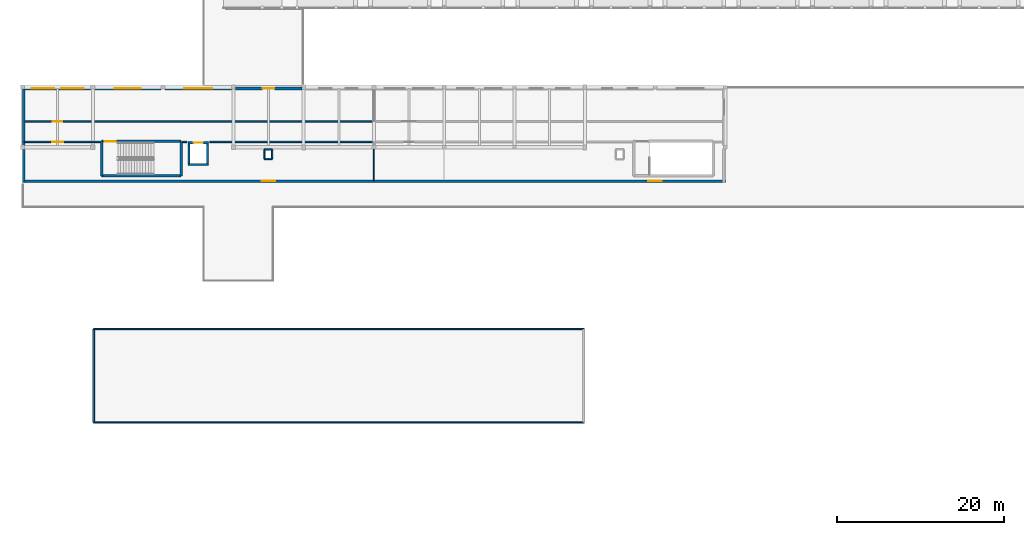
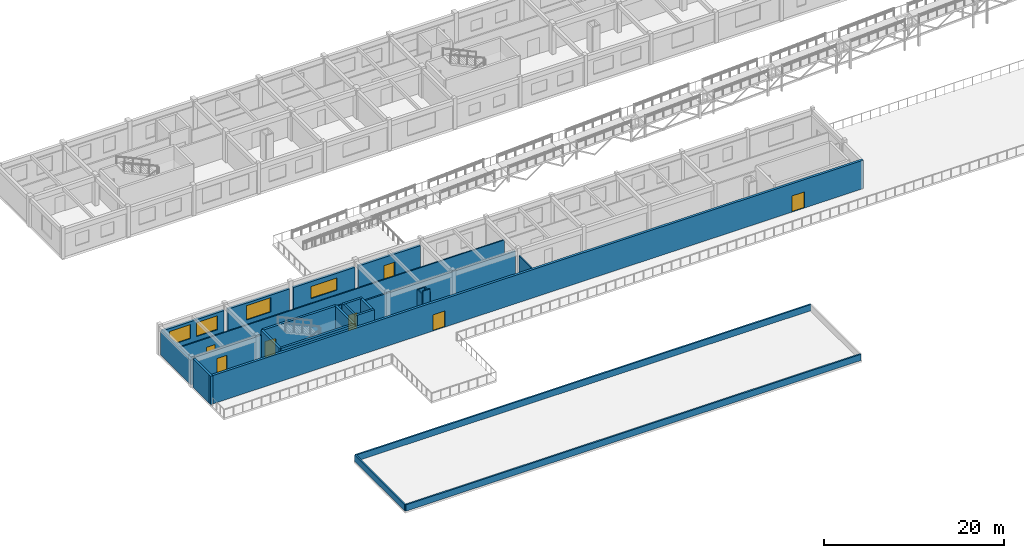
# One storey, part 27 of 41: 27 walls, 7 doors, 4 windows, 11 openings.
"""IFC4 building model written with IfcOpenShell, lengths in metres."""

from ifc_helpers import new_model, si_unit, direction, frame, frame_2d, origin, place, context, subcontext, project, spatial, rectangle, extrude, material, layer, layer_set, type_object, element, fill, save


model = new_model("IFC4")

# Units and contexts
model_context = context("Model", 3, precision=1e-05, world=origin(), true_north=direction((0.0, 1.0)))
body_context = subcontext(model_context, "Body", "Model", "MODEL_VIEW")
ifc_project = project(units=[si_unit("LENGTHUNIT", "METRE"), si_unit("AREAUNIT", "SQUARE_METRE"), si_unit("VOLUMEUNIT", "CUBIC_METRE"), si_unit("PLANEANGLEUNIT", "RADIAN"), si_unit("MASSUNIT", "GRAM", prefix="KILO")], contexts=[model_context])

# Site, building, storey
site_placement = place(None, origin())
site = spatial("IfcSite", under=ifc_project, at=site_placement, CompositionType="ELEMENT")
building_placement = place(site_placement, origin())
building = spatial("IfcBuilding", under=site, at=building_placement, Name="Malvenik Polytechnic", CompositionType="ELEMENT")
storey_placement = place(building_placement, frame((0.0, 0.0, 17.699951171875)))
storey = spatial("IfcBuildingStorey", under=building, at=storey_placement, Name="L04", CompositionType="ELEMENT", Elevation=17.699951171875)

# Wall
ifc_material_1 = material(Name="Concrete C35/45", Category="concrete")
ifc_layer_1 = layer(ifc_material_1, 0.280029296875)
ifc_layer_set_1 = layer_set([ifc_layer_1], Name="Concrete C35/45")
wall_type_1 = type_object("IfcWallType", Name="ARC-CW-S280", PredefinedType="SHEAR", material=ifc_layer_set_1)
wall_1_placement = place(storey_placement, frame((22.239990234375, 84.35009765625, 0.0), z_axis=(0.0, 0.0, 1.0), x_axis=(-1.0, 0.0, 0.0)))
element("IfcWall", 1, at=wall_1_placement, inside=storey, type_object=wall_type_1, Name="Lift Shaft Shear Wall LP-01 L04 -Y", PredefinedType="SHEAR", context=body_context, shape_type="SweptSolid", body=[
    extrude(rectangle(XDim=2.47998046875, YDim=0.280029296875, at=frame_2d((1.239990234375, 0.0))), origin(), (0.0, 0.0, 1.0), 3.93994140625),
])

# Wall, opening, door
wall_2_placement = place(storey_placement, frame((19.760009765625, 86.949951171875, 0.0), z_axis=(0.0, 0.0, 1.0), x_axis=(1.0, 0.0, 0.0)))
wall_2 = element("IfcWall", 2, at=wall_2_placement, inside=storey, type_object=wall_type_1, Name="Lift Shaft Shear Wall LP-01 L04 +Y", PredefinedType="SHEAR", context=body_context, shape_type="SweptSolid", body=[
    extrude(rectangle(XDim=2.47998046875, YDim=0.280029296875, at=frame_2d((1.239990234375, 0.0))), origin(), (0.0, 0.0, 1.0), 3.93994140625),
])
opening_1_placement = place(wall_2_placement, frame((0.68994140625, 0.0, 0.0)))
opening_1 = element("IfcOpeningElement", 3, at=opening_1_placement, cuts=wall_2, Name="Opening LD-01", PredefinedType="OPENING", context=body_context, shape_type="SweptSolid", body=[
    extrude(rectangle(XDim=1.10009765625, YDim=2.14990234375, at=frame_2d((0.550048828125, 1.074951171875))), frame((0.0, 0.14990234375, 0.0), z_axis=(0.0, -1.0, 0.0), x_axis=(1.0, 0.0, 0.0)), (0.0, 0.0, 1.0), 0.300048828125),
])
ifc_material_2 = material(Name="Stainless steel fire-rated sliding lift landing door", Category="steel")
door_type_1 = type_object("IfcDoorType", Name="ARC-LDR-LD-01", OperationType="NOTDEFINED", PredefinedType="DOOR", material=ifc_material_2)
door_1_placement = place(opening_1_placement, origin())
door_1 = element("IfcDoor", 4, at=door_1_placement, inside=storey, type_object=door_type_1, Name="Lift Sliding Landing Door LP-01 L04", OperationType="DOUBLE_DOOR_SLIDING", OverallHeight=2.14990234375, OverallWidth=1.10009765625, PredefinedType="DOOR", context=body_context, shape_type="SweptSolid", body=[
    extrude(rectangle(XDim=1.10009765625, YDim=2.14990234375, at=frame_2d((0.550048828125, 1.074951171875))), frame((0.0, 0.02490234375, 0.0), z_axis=(0.0, -1.0, 0.0), x_axis=(1.0, 0.0, 0.0)), (0.0, 0.0, 1.0), 0.050048828125),
])
fill(opening_1, door_1)

# Walls
for number, where, z_axis, x_axis, name in (
    (5, (19.89990234375, 84.2099609375, 0.0), (0.0, 0.0, 1.0), (0.0, 1.0, 0.0), "Lift Shaft Shear Wall LP-01 L04 -X"),
    (6, (22.10009765625, 87.090087890625, 0.0), (0.0, 0.0, 1.0), (0.0, -1.0, 0.0), "Lift Shaft Shear Wall LP-01 L04 +X"),
):
    element("IfcWall", number, at=place(storey_placement, frame(where, z_axis=z_axis, x_axis=x_axis)), inside=storey, type_object=wall_type_1, Name=name, PredefinedType="SHEAR", context=body_context, shape_type="SweptSolid", body=[
        extrude(rectangle(XDim=2.880126953125, YDim=0.280029296875, at=frame_2d((1.43994140625, 0.0))), origin(), (0.0, 0.0, 1.0), 3.93994140625),
    ])
ifc_layer_2 = layer(ifc_material_1, 0.300048828125)
ifc_layer_set_2 = layer_set([ifc_layer_2], Name="Concrete C35/45")
wall_type_2 = type_object("IfcWallType", Name="ARC-CW-S300", PredefinedType="SHEAR", material=ifc_layer_set_2)
wall_3_placement = place(storey_placement, frame((9.449951171875, 83.0, 0.0), z_axis=(0.0, 0.0, 1.0), x_axis=(0.0, 1.0, 0.0)))
element("IfcWall", 7, at=wall_3_placement, inside=storey, type_object=wall_type_2, Name="Stair Core Shear Wall ST-04 L04 NEAR", PredefinedType="SHEAR", context=body_context, shape_type="SweptSolid", body=[
    extrude(rectangle(XDim=4.10009765625, YDim=0.300048828125, at=frame_2d((2.050048828125, 0.0))), origin(), (0.0, 0.0, 1.0), 3.93994140625),
])

# Wall, opening, door
wall_4_placement = place(storey_placement, frame((9.449951171875, 87.10009765625, 0.0), z_axis=(0.0, 0.0, 1.0), x_axis=(1.0, 0.0, 0.0)))
wall_4 = element("IfcWall", 8, at=wall_4_placement, inside=storey, type_object=wall_type_2, Name="Stair Core Shear Wall ST-04 L04 RGHT", PredefinedType="SHEAR", context=body_context, shape_type="SweptSolid", body=[
    extrude(rectangle(XDim=9.5, YDim=0.300048828125, at=frame_2d((4.75, 0.0))), origin(), (0.0, 0.0, 1.0), 3.93994140625),
])
opening_2_placement = place(wall_4_placement, frame((0.35009765625, 0.0, 0.0)))
opening_2 = element("IfcOpeningElement", 9, at=opening_2_placement, cuts=wall_4, Name="Opening SD-01", PredefinedType="OPENING", context=body_context, shape_type="SweptSolid", body=[
    extrude(rectangle(XDim=1.35009765625, YDim=2.199951171875, at=frame_2d((0.675048828125, 1.10009765625))), frame((0.0, 0.16015625, 0.0), z_axis=(0.0, -1.0, 0.0), x_axis=(1.0, 0.0, 0.0)), (0.0, 0.0, 1.0), 0.320068359375),
])
ifc_material_3 = material(Name="Fire-rated steel stair enclosure door", Category="steel")
door_type_2 = type_object("IfcDoorType", Name="ARC-IDR-SD-01", OperationType="NOTDEFINED", PredefinedType="DOOR", material=ifc_material_3)
door_2_placement = place(opening_2_placement, origin())
door_2 = element("IfcDoor", 10, at=door_2_placement, inside=storey, type_object=door_type_2, Name="Fire Stair Door ST-04 L04", OperationType="SINGLE_SWING_LEFT", OverallHeight=2.199951171875, OverallWidth=1.35009765625, PredefinedType="DOOR", context=body_context, shape_type="SweptSolid", body=[
    extrude(rectangle(XDim=1.35009765625, YDim=2.199951171875, at=frame_2d((0.675048828125, 1.10009765625))), frame((0.0, 0.02490234375, 0.0), z_axis=(0.0, -1.0, 0.0), x_axis=(1.0, 0.0, 0.0)), (0.0, 0.0, 1.0), 0.050048828125),
])
fill(opening_2, door_2)

# Walls
wall_5_placement = place(storey_placement, frame((18.949951171875, 87.10009765625, 0.0), z_axis=(0.0, 0.0, 1.0), x_axis=(0.0, -1.0, 0.0)))
element("IfcWall", 11, at=wall_5_placement, inside=storey, type_object=wall_type_2, Name="Stair Core Shear Wall ST-04 L04 FAR", PredefinedType="SHEAR", context=body_context, shape_type="SweptSolid", body=[
    extrude(rectangle(XDim=4.10009765625, YDim=0.300048828125, at=frame_2d((2.050048828125, 0.0))), origin(), (0.0, 0.0, 1.0), 3.93994140625),
])
wall_6_placement = place(storey_placement, frame((18.949951171875, 83.0, 0.0), z_axis=(0.0, 0.0, 1.0), x_axis=(-1.0, 0.0, 0.0)))
element("IfcWall", 12, at=wall_6_placement, inside=storey, type_object=wall_type_2, Name="Stair Core Shear Wall ST-04 L04 LEFT", PredefinedType="SHEAR", context=body_context, shape_type="SweptSolid", body=[
    extrude(rectangle(XDim=9.5, YDim=0.300048828125, at=frame_2d((4.75, 0.0))), origin(), (0.0, 0.0, 1.0), 3.93994140625),
])
ifc_material_4 = material(Name="Brick masonry M15", Category="masonry")
ifc_layer_3 = layer(ifc_material_4, 0.31005859375)
ifc_layer_set_3 = layer_set([ifc_layer_3], Name="Brick masonry M15")
wall_type_3 = type_object("IfcWallType", Name="ARC-EW-310", PredefinedType="SOLIDWALL", material=ifc_layer_set_3)
wall_7_placement = place(storey_placement, frame((0.169921875, 82.199951171875, 0.0), z_axis=(0.0, 0.0, 1.0), x_axis=(0.0, 1.0, 0.0)))
element("IfcWall", 13, at=wall_7_placement, inside=storey, type_object=wall_type_3, Name="External Facade Wall EW-03 L04 #452", PredefinedType="SOLIDWALL", context=body_context, shape_type="SweptSolid", body=[
    extrude(rectangle(XDim=3.9521484375, YDim=0.31005859375, at=frame_2d((1.97607421875, 0.0))), origin(), (0.0, 0.0, 1.0), 3.860107421875),
])
wall_8_placement = place(storey_placement, frame((0.169921875, 86.64794921875, 0.0), z_axis=(0.0, 0.0, 1.0), x_axis=(0.0, 1.0, 0.0)))
element("IfcWall", 14, at=wall_8_placement, inside=storey, type_object=wall_type_3, Name="External Facade Wall EW-03 L04 #453", PredefinedType="SOLIDWALL", context=body_context, shape_type="SweptSolid", body=[
    extrude(rectangle(XDim=6.7041015625, YDim=0.31005859375, at=frame_2d((3.35205078125, 0.0))), origin(), (0.0, 0.0, 1.0), 3.360107421875),
])

# Wall, openings, windows
wall_9_placement = place(storey_placement, frame((0.248046875, 93.429931640625, 0.0), z_axis=(0.0, 0.0, 1.0), x_axis=(1.0, 0.0, 0.0)))
wall_9 = element("IfcWall", 15, at=wall_9_placement, inside=storey, type_object=wall_type_3, Name="External Facade Wall EW-03 L04 #454", PredefinedType="SOLIDWALL", context=body_context, shape_type="SweptSolid", body=[
    extrude(rectangle(XDim=7.904052734375, YDim=0.31005859375, at=frame_2d((3.9521484375, 0.0))), origin(), (0.0, 0.0, 1.0), 3.25),
])
opening_3_placement = place(wall_9_placement, frame((0.85009765625, 0.0, 0.949951171875)))
opening_3 = element("IfcOpeningElement", 16, at=opening_3_placement, cuts=wall_9, Name="Opening W-27", PredefinedType="OPENING", context=body_context, shape_type="SweptSolid", body=[
    extrude(rectangle(XDim=2.699951171875, YDim=1.89990234375, at=frame_2d((1.35009765625, 0.949951171875))), frame((0.0, 0.1650390625, 0.0), z_axis=(0.0, -1.0, 0.0), x_axis=(1.0, 0.0, 0.0)), (0.0, 0.0, 1.0), 0.330078125),
])
opening_4_placement = place(wall_9_placement, frame((4.35400390625, 0.0, 0.949951171875)))
opening_4 = element("IfcOpeningElement", 17, at=opening_4_placement, cuts=wall_9, Name="Opening W-27", PredefinedType="OPENING", context=body_context, shape_type="SweptSolid", body=[
    extrude(rectangle(XDim=2.699951171875, YDim=1.89990234375, at=frame_2d((1.35009765625, 0.949951171875))), frame((0.0, 0.1650390625, 0.0), z_axis=(0.0, -1.0, 0.0), x_axis=(1.0, 0.0, 0.0)), (0.0, 0.0, 1.0), 0.330078125),
])
ifc_material_5 = material(Name="Thermally broken aluminium frame with low-E double glazing", Category="aluminium")
window_type_1 = type_object("IfcWindowType", Name="ARC-WIN-W-27", PartitioningType="SINGLE_PANEL", PredefinedType="WINDOW", material=ifc_material_5)
window_1_placement = place(opening_3_placement, origin())
window_1 = element("IfcWindow", 18, at=window_1_placement, inside=storey, type_object=window_type_1, Name="Punched Window W-27 L04 #481", OverallHeight=1.89990234375, OverallWidth=2.699951171875, PartitioningType="SINGLE_PANEL", PredefinedType="WINDOW", context=body_context, shape_type="SweptSolid", body=[
    extrude(rectangle(XDim=2.699951171875, YDim=1.89990234375, at=frame_2d((1.35009765625, 0.949951171875))), frame((0.0, 0.030029296875, 0.0), z_axis=(0.0, -1.0, 0.0), x_axis=(1.0, 0.0, 0.0)), (0.0, 0.0, 1.0), 0.06005859375),
])
fill(opening_3, window_1)
window_2_placement = place(opening_4_placement, origin())
window_2 = element("IfcWindow", 19, at=window_2_placement, inside=storey, type_object=window_type_1, Name="Punched Window W-27 L04 #482", OverallHeight=1.89990234375, OverallWidth=2.699951171875, PartitioningType="SINGLE_PANEL", PredefinedType="WINDOW", context=body_context, shape_type="SweptSolid", body=[
    extrude(rectangle(XDim=2.699951171875, YDim=1.89990234375, at=frame_2d((1.35009765625, 0.949951171875))), frame((0.0, 0.030029296875, 0.0), z_axis=(0.0, -1.0, 0.0), x_axis=(1.0, 0.0, 0.0)), (0.0, 0.0, 1.0), 0.06005859375),
])
fill(opening_4, window_2)

# Wall, opening, window
wall_10_placement = place(storey_placement, frame((8.64794921875, 93.429931640625, 0.0), z_axis=(0.0, 0.0, 1.0), x_axis=(1.0, 0.0, 0.0)))
wall_10 = element("IfcWall", 20, at=wall_10_placement, inside=storey, type_object=wall_type_3, Name="External Facade Wall EW-03 L04 #455", PredefinedType="SOLIDWALL", context=body_context, shape_type="SweptSolid", body=[
    extrude(rectangle(XDim=7.904052734375, YDim=0.31005859375, at=frame_2d((3.9521484375, 0.0))), origin(), (0.0, 0.0, 1.0), 3.25),
])
opening_5_placement = place(wall_10_placement, frame((2.402099609375, 0.0, 0.949951171875)))
opening_5 = element("IfcOpeningElement", 21, at=opening_5_placement, cuts=wall_10, Name="Opening W-29", PredefinedType="OPENING", context=body_context, shape_type="SweptSolid", body=[
    extrude(rectangle(XDim=3.10009765625, YDim=1.949951171875, at=frame_2d((1.550048828125, 0.97509765625))), frame((0.0, 0.1650390625, 0.0), z_axis=(0.0, -1.0, 0.0), x_axis=(1.0, 0.0, 0.0)), (0.0, 0.0, 1.0), 0.330078125),
])
window_type_2 = type_object("IfcWindowType", Name="ARC-WIN-W-29", PartitioningType="SINGLE_PANEL", PredefinedType="WINDOW", material=ifc_material_5)
window_3_placement = place(opening_5_placement, origin())
window_3 = element("IfcWindow", 22, at=window_3_placement, inside=storey, type_object=window_type_2, Name="Punched Window W-29 L04 #483", OverallHeight=1.949951171875, OverallWidth=3.10009765625, PartitioningType="SINGLE_PANEL", PredefinedType="WINDOW", context=body_context, shape_type="SweptSolid", body=[
    extrude(rectangle(XDim=3.10009765625, YDim=1.949951171875, at=frame_2d((1.550048828125, 0.97509765625))), frame((0.0, 0.030029296875, 0.0), z_axis=(0.0, -1.0, 0.0), x_axis=(1.0, 0.0, 0.0)), (0.0, 0.0, 1.0), 0.06005859375),
])
fill(opening_5, window_3)

wall_11_placement = place(storey_placement, frame((17.048095703125, 93.429931640625, 0.0), z_axis=(0.0, 0.0, 1.0), x_axis=(1.0, 0.0, 0.0)))
wall_11 = element("IfcWall", 23, at=wall_11_placement, inside=storey, type_object=wall_type_3, Name="External Facade Wall EW-03 L04 #456", PredefinedType="SOLIDWALL", context=body_context, shape_type="SweptSolid", body=[
    extrude(rectangle(XDim=7.90380859375, YDim=0.31005859375, at=frame_2d((3.951904296875, 0.0))), origin(), (0.0, 0.0, 1.0), 3.25),
])
opening_6_placement = place(wall_11_placement, frame((2.302001953125, 0.0, 0.949951171875)))
opening_6 = element("IfcOpeningElement", 24, at=opening_6_placement, cuts=wall_11, Name="Opening W-30", PredefinedType="OPENING", context=body_context, shape_type="SweptSolid", body=[
    extrude(rectangle(XDim=3.300048828125, YDim=1.64990234375, at=frame_2d((1.64990234375, 0.824951171875))), frame((0.0, 0.1650390625, 0.0), z_axis=(0.0, -1.0, 0.0), x_axis=(1.0, 0.0, 0.0)), (0.0, 0.0, 1.0), 0.330078125),
])
window_type_3 = type_object("IfcWindowType", Name="ARC-WIN-W-30", PartitioningType="SINGLE_PANEL", PredefinedType="WINDOW", material=ifc_material_5)
window_4_placement = place(opening_6_placement, origin())
window_4 = element("IfcWindow", 25, at=window_4_placement, inside=storey, type_object=window_type_3, Name="Punched Window W-30 L04 #484", OverallHeight=1.64990234375, OverallWidth=3.300048828125, PartitioningType="SINGLE_PANEL", PredefinedType="WINDOW", context=body_context, shape_type="SweptSolid", body=[
    extrude(rectangle(XDim=3.300048828125, YDim=1.64990234375, at=frame_2d((1.64990234375, 0.824951171875))), frame((0.0, 0.030029296875, 0.0), z_axis=(0.0, -1.0, 0.0), x_axis=(1.0, 0.0, 0.0)), (0.0, 0.0, 1.0), 0.06005859375),
])
fill(opening_6, window_4)

# Wall, opening, door
wall_12_placement = place(storey_placement, frame((25.447998046875, 93.429931640625, 0.0), z_axis=(0.0, 0.0, 1.0), x_axis=(1.0, 0.0, 0.0)))
wall_12 = element("IfcWall", 26, at=wall_12_placement, inside=storey, type_object=wall_type_3, Name="External Facade Wall EW-03 L04 #457", PredefinedType="SOLIDWALL", context=body_context, shape_type="SweptSolid", body=[
    extrude(rectangle(XDim=7.9541015625, YDim=0.31005859375, at=frame_2d((3.97705078125, 0.0))), origin(), (0.0, 0.0, 1.0), 3.25),
])
opening_7_placement = place(wall_12_placement, frame((3.251953125, 0.0, 0.0)))
opening_7 = element("IfcOpeningElement", 27, at=opening_7_placement, cuts=wall_12, Name="Opening TD-03", PredefinedType="OPENING", context=body_context, shape_type="SweptSolid", body=[
    extrude(rectangle(XDim=1.39990234375, YDim=2.14990234375, at=frame_2d((0.699951171875, 1.074951171875))), frame((0.0, 0.1650390625, 0.0), z_axis=(0.0, -1.0, 0.0), x_axis=(1.0, 0.0, 0.0)), (0.0, 0.0, 1.0), 0.330078125),
])
ifc_material_6 = material(Name="Thermally broken glazed aluminium balcony door", Category="aluminium")
door_type_3 = type_object("IfcDoorType", Name="ARC-EDR-TD-03", OperationType="NOTDEFINED", PredefinedType="DOOR", material=ifc_material_6)
door_3_placement = place(opening_7_placement, origin())
door_3 = element("IfcDoor", 28, at=door_3_placement, inside=storey, type_object=door_type_3, Name="External Door TD-03 L04 #42", OperationType="SINGLE_SWING_LEFT", OverallHeight=2.14990234375, OverallWidth=1.39990234375, PredefinedType="DOOR", context=body_context, shape_type="SweptSolid", body=[
    extrude(rectangle(XDim=1.39990234375, YDim=2.14990234375, at=frame_2d((0.699951171875, 1.074951171875))), frame((0.0, 0.02490234375, 0.0), z_axis=(0.0, -1.0, 0.0), x_axis=(1.0, 0.0, 0.0)), (0.0, 0.0, 1.0), 0.050048828125),
])
fill(opening_7, door_3)

# Wall, openings, doors
wall_13_placement = place(storey_placement, frame((84.0, 82.3701171875, 0.0), z_axis=(0.0, 0.0, 1.0), x_axis=(-1.0, 0.0, 0.0)))
wall_13 = element("IfcWall", 29, at=wall_13_placement, inside=storey, type_object=wall_type_3, Name="External Facade Wall EW-03 L04 #466", PredefinedType="SOLIDWALL", context=body_context, shape_type="SweptSolid", body=[
    extrude(rectangle(XDim=84.0, YDim=0.31005859375, at=frame_2d((42.0, 0.0))), origin(), (0.0, 0.0, 1.0), 3.860107421875),
])
opening_8_placement = place(wall_13_placement, frame((53.800048828125, 0.0, 0.0)))
opening_8 = element("IfcOpeningElement", 30, at=opening_8_placement, cuts=wall_13, Name="Opening TD-02", PredefinedType="OPENING", context=body_context, shape_type="SweptSolid", body=[
    extrude(rectangle(XDim=1.60009765625, YDim=2.199951171875, at=frame_2d((0.800048828125, 1.10009765625))), frame((0.0, 0.1650390625, 0.0), z_axis=(0.0, -1.0, 0.0), x_axis=(1.0, 0.0, 0.0)), (0.0, 0.0, 1.0), 0.330078125),
])
opening_9_placement = place(wall_13_placement, frame((7.60009765625, 0.0, 0.0)))
opening_9 = element("IfcOpeningElement", 31, at=opening_9_placement, cuts=wall_13, Name="Opening TD-02", PredefinedType="OPENING", context=body_context, shape_type="SweptSolid", body=[
    extrude(rectangle(XDim=1.60009765625, YDim=2.199951171875, at=frame_2d((0.800048828125, 1.10009765625))), frame((0.0, 0.1650390625, 0.0), z_axis=(0.0, -1.0, 0.0), x_axis=(1.0, 0.0, 0.0)), (0.0, 0.0, 1.0), 0.330078125),
])
ifc_material_7 = material(Name="Thermally broken glazed aluminium terrace door", Category="aluminium")
door_type_4 = type_object("IfcDoorType", Name="ARC-EDR-TD-02", OperationType="NOTDEFINED", PredefinedType="DOOR", material=ifc_material_7)
door_4_placement = place(opening_8_placement, origin())
door_4 = element("IfcDoor", 32, at=door_4_placement, inside=storey, type_object=door_type_4, Name="External Door TD-02 L04 #44", OperationType="DOUBLE_DOOR_SINGLE_SWING", OverallHeight=2.199951171875, OverallWidth=1.60009765625, PredefinedType="DOOR", context=body_context, shape_type="SweptSolid", body=[
    extrude(rectangle(XDim=1.60009765625, YDim=2.199951171875, at=frame_2d((0.800048828125, 1.10009765625))), frame((0.0, 0.02490234375, 0.0), z_axis=(0.0, -1.0, 0.0), x_axis=(1.0, 0.0, 0.0)), (0.0, 0.0, 1.0), 0.050048828125),
])
fill(opening_8, door_4)
door_5_placement = place(opening_9_placement, origin())
door_5 = element("IfcDoor", 33, at=door_5_placement, inside=storey, type_object=door_type_4, Name="External Door TD-02 L04 #45", OperationType="DOUBLE_DOOR_SINGLE_SWING", OverallHeight=2.199951171875, OverallWidth=1.60009765625, PredefinedType="DOOR", context=body_context, shape_type="SweptSolid", body=[
    extrude(rectangle(XDim=1.60009765625, YDim=2.199951171875, at=frame_2d((0.800048828125, 1.10009765625))), frame((0.0, 0.02490234375, 0.0), z_axis=(0.0, -1.0, 0.0), x_axis=(1.0, 0.0, 0.0)), (0.0, 0.0, 1.0), 0.050048828125),
])
fill(opening_9, door_5)

# Wall
ifc_material_8 = material(Name="Calcium silicate fire-rated blockwork 200mm", Category="masonry")
ifc_layer_4 = layer(ifc_material_8, 0.199951171875)
ifc_layer_set_4 = layer_set([ifc_layer_4], Name="Calcium silicate fire-rated blockwork 200mm")
wall_type_4 = type_object("IfcWallType", Name="ARC-FW-200", PredefinedType="SOLIDWALL", material=ifc_layer_set_4)
wall_14_placement = place(storey_placement, frame((42.0, 87.050048828125, 0.0), z_axis=(0.0, 0.0, 1.0), x_axis=(-1.0, 0.0, 0.0)))
element("IfcWall", 34, at=wall_14_placement, inside=storey, type_object=wall_type_4, Name="Interior Partition FW-02 L04 #382", PredefinedType="SOLIDWALL", context=body_context, shape_type="SweptSolid", body=[
    extrude(rectangle(XDim=19.6298828125, YDim=0.199951171875, at=frame_2d((9.81494140625, 0.0))), origin(), (0.0, 0.0, 1.0), 3.35498046875),
])

# Wall, opening, door
wall_15_placement = place(storey_placement, frame((9.31005859375, 87.050048828125, 0.0), z_axis=(0.0, 0.0, 1.0), x_axis=(-1.0, 0.0, 0.0)))
wall_15 = element("IfcWall", 35, at=wall_15_placement, inside=storey, type_object=wall_type_4, Name="Interior Partition FW-02 L04 #384", PredefinedType="SOLIDWALL", context=body_context, shape_type="SweptSolid", body=[
    extrude(rectangle(XDim=9.090087890625, YDim=0.199951171875, at=frame_2d((4.544921875, 0.0))), origin(), (0.0, 0.0, 1.0), 3.35498046875),
])
opening_10_placement = place(wall_15_placement, frame((4.4599609375, 0.0, 0.0)))
opening_10 = element("IfcOpeningElement", 36, at=opening_10_placement, cuts=wall_15, Name="Opening FD-04", PredefinedType="OPENING", context=body_context, shape_type="SweptSolid", body=[
    extrude(rectangle(XDim=1.300048828125, YDim=2.14990234375, at=frame_2d((0.64990234375, 1.074951171875))), frame((0.0, 0.10986328125, 0.0), z_axis=(0.0, -1.0, 0.0), x_axis=(1.0, 0.0, 0.0)), (0.0, 0.0, 1.0), 0.219970703125),
])
ifc_material_9 = material(Name="Fire-rated plant room steel door", Category="steel")
door_type_5 = type_object("IfcDoorType", Name="ARC-IDR-FD-04", OperationType="NOTDEFINED", PredefinedType="DOOR", material=ifc_material_9)
door_6_placement = place(opening_10_placement, origin())
door_6 = element("IfcDoor", 37, at=door_6_placement, inside=storey, type_object=door_type_5, Name="Interior Door FD-04 L04 #162", OperationType="SINGLE_SWING_RIGHT", OverallHeight=2.14990234375, OverallWidth=1.300048828125, PredefinedType="DOOR", context=body_context, shape_type="SweptSolid", body=[
    extrude(rectangle(XDim=1.300048828125, YDim=2.14990234375, at=frame_2d((0.64990234375, 1.074951171875))), frame((0.0, 0.02490234375, 0.0), z_axis=(0.0, -1.0, 0.0), x_axis=(1.0, 0.0, 0.0)), (0.0, 0.0, 1.0), 0.050048828125),
])
fill(opening_10, door_6)

# Walls
ifc_material_10 = material(Name="Metal-stud gypsum board partition 125mm", Category="gypsum")
ifc_layer_5 = layer(ifc_material_10, 0.125)
ifc_layer_set_5 = layer_set([ifc_layer_5], Name="Metal-stud gypsum board partition 125mm")
wall_type_5 = type_object("IfcWallType", Name="ARC-PW-125", PredefinedType="PARTITIONING", material=ifc_layer_set_5)
wall_16_placement = place(storey_placement, frame((42.0, 82.419921875, 0.0), z_axis=(0.0, 0.0, 1.0), x_axis=(0.0, 1.0, 0.0)))
element("IfcWall", 38, at=wall_16_placement, inside=storey, type_object=wall_type_5, Name="Interior Partition PW-03I L04 #385", PredefinedType="PARTITIONING", context=body_context, shape_type="SweptSolid", body=[
    extrude(rectangle(XDim=3.735107421875, YDim=0.125, at=frame_2d((1.86767578125, 0.0))), origin(), (0.0, 0.0, 1.0), 3.22509765625),
])
ifc_material_11 = material(Name="Double-stud acoustic gypsum board partition 160mm", Category="gypsum")
ifc_layer_6 = layer(ifc_material_11, 0.159912109375)
ifc_layer_set_6 = layer_set([ifc_layer_6], Name="Double-stud acoustic gypsum board partition 160mm")
wall_type_6 = type_object("IfcWallType", Name="ARC-PW-160", PredefinedType="PARTITIONING", material=ifc_layer_set_6)
wall_17_placement = place(storey_placement, frame((28.919921875, 85.02001953125, 0.0), z_axis=(0.0, 0.0, 1.0), x_axis=(1.0, 0.0, 0.0)))
element("IfcWall", 39, at=wall_17_placement, inside=storey, type_object=wall_type_6, Name="Riser Shaft Enclosure L04 #49S", PredefinedType="PARTITIONING", context=body_context, shape_type="SweptSolid", body=[
    extrude(rectangle(XDim=0.91015625, YDim=0.159912109375, at=frame_2d((0.455078125, 0.0))), origin(), (0.0, 0.0, 1.0), 3.650146484375),
])
wall_18_placement = place(storey_placement, frame((29.830078125, 86.1298828125, 0.0), z_axis=(0.0, 0.0, 1.0), x_axis=(-1.0, 0.0, 0.0)))
element("IfcWall", 40, at=wall_18_placement, inside=storey, type_object=wall_type_6, Name="Riser Shaft Enclosure L04 #49N", PredefinedType="PARTITIONING", context=body_context, shape_type="SweptSolid", body=[
    extrude(rectangle(XDim=0.91015625, YDim=0.159912109375, at=frame_2d((0.455078125, 0.0))), origin(), (0.0, 0.0, 1.0), 3.22509765625),
])
for number, where, z_axis, x_axis, name in (
    (41, (28.919921875, 86.1298828125, 0.0), (0.0, 0.0, 1.0), (0.0, -1.0, 0.0), "Riser Shaft Enclosure L04 #49W"),
    (42, (29.830078125, 85.02001953125, 0.0), (0.0, 0.0, 1.0), (0.0, 1.0, 0.0), "Riser Shaft Enclosure L04 #49E"),
):
    element("IfcWall", number, at=place(storey_placement, frame(where, z_axis=z_axis, x_axis=x_axis)), inside=storey, type_object=wall_type_6, Name=name, PredefinedType="PARTITIONING", context=body_context, shape_type="SweptSolid", body=[
        extrude(rectangle(XDim=1.10986328125, YDim=0.159912109375, at=frame_2d((0.554931640625, 0.0))), origin(), (0.0, 0.0, 1.0), 3.22509765625),
    ])

# Wall, opening, door
wall_19_placement = place(storey_placement, frame((0.219970703125, 89.5, 0.0), z_axis=(0.0, 0.0, 1.0), x_axis=(1.0, 0.0, 0.0)))
wall_19 = element("IfcWall", 43, at=wall_19_placement, inside=storey, type_object=wall_type_6, Name="Interior Partition PW-01I L04 #379", PredefinedType="PARTITIONING", context=body_context, shape_type="SweptSolid", body=[
    extrude(rectangle(XDim=41.780029296875, YDim=0.159912109375, at=frame_2d((20.89013671875, 0.0))), origin(), (0.0, 0.0, 1.0), 3.35498046875),
])
opening_11_placement = place(wall_19_placement, frame((3.405029296875, 0.0, 0.0)))
opening_11 = element("IfcOpeningElement", 44, at=opening_11_placement, cuts=wall_19, Name="Opening FD-01", PredefinedType="OPENING", context=body_context, shape_type="SweptSolid", body=[
    extrude(rectangle(XDim=1.14990234375, YDim=2.14990234375, at=frame_2d((0.574951171875, 1.074951171875))), frame((0.0, 0.08984375, 0.0), z_axis=(0.0, -1.0, 0.0), x_axis=(1.0, 0.0, 0.0)), (0.0, 0.0, 1.0), 0.179931640625),
])
ifc_material_12 = material(Name="Fire-rated timber acoustic corridor door", Category="wood")
door_type_6 = type_object("IfcDoorType", Name="ARC-IDR-FD-01", OperationType="NOTDEFINED", PredefinedType="DOOR", material=ifc_material_12)
door_7_placement = place(opening_11_placement, origin())
door_7 = element("IfcDoor", 45, at=door_7_placement, inside=storey, type_object=door_type_6, Name="Interior Door FD-01 L04 #160", OperationType="SINGLE_SWING_LEFT", OverallHeight=2.14990234375, OverallWidth=1.14990234375, PredefinedType="DOOR", context=body_context, shape_type="SweptSolid", body=[
    extrude(rectangle(XDim=1.14990234375, YDim=2.14990234375, at=frame_2d((0.574951171875, 1.074951171875))), frame((0.0, 0.02490234375, 0.0), z_axis=(0.0, -1.0, 0.0), x_axis=(1.0, 0.0, 0.0)), (0.0, 0.0, 1.0), 0.050048828125),
])
fill(opening_11, door_7)

# Walls
wall_20_placement = place(storey_placement, frame((19.6298828125, 87.050048828125, 0.0), z_axis=(0.0, 0.0, 1.0), x_axis=(-1.0, 0.0, 0.0)))
element("IfcWall", 46, at=wall_20_placement, inside=storey, type_object=wall_type_6, Name="Interior Partition PW-01I L04 #383", PredefinedType="PARTITIONING", context=body_context, shape_type="SweptSolid", body=[
    extrude(rectangle(XDim=0.539794921875, YDim=0.159912109375, at=frame_2d((0.27001953125, 0.0))), origin(), (0.0, 0.0, 1.0), 3.85009765625),
])
ifc_material_13 = material(Name="Precast concrete C40/50", Category="concrete")
ifc_layer_7 = layer(ifc_material_13, 0.199951171875)
ifc_layer_set_7 = layer_set([ifc_layer_7], Name="Precast concrete C40/50")
wall_type_7 = type_object("IfcWallType", Name="ARC-PW-200", PredefinedType="PARAPET", material=ifc_layer_set_7)
for number, where, z_axis, x_axis, name in (
    (47, (8.52001953125, 64.679931640625, 0.0), (0.0, 0.0, 1.0), (1.0, 0.0, 0.0), "V3 West Roof Parapet PW-02 #1"),
    (48, (67.080078125, 53.52001953125, 0.0), (0.0, 0.0, 1.0), (-1.0, 0.0, 0.0), "V3 West Roof Parapet PW-02 #3"),
):
    element("IfcWall", number, at=place(storey_placement, frame(where, z_axis=z_axis, x_axis=x_axis)), inside=storey, type_object=wall_type_7, Name=name, PredefinedType="PARAPET", context=body_context, shape_type="SweptSolid", body=[
        extrude(rectangle(XDim=58.56005859375, YDim=0.199951171875, at=frame_2d((29.280029296875, 0.0))), origin(), (0.0, 0.0, 1.0), 0.85009765625),
    ])
wall_21_placement = place(storey_placement, frame((8.52001953125, 53.52001953125, 0.0), z_axis=(0.0, 0.0, 1.0), x_axis=(0.0, 1.0, 0.0)))
element("IfcWall", 49, at=wall_21_placement, inside=storey, type_object=wall_type_7, Name="V3 West Roof Parapet PW-02 #4", PredefinedType="PARAPET", context=body_context, shape_type="SweptSolid", body=[
    extrude(rectangle(XDim=11.159912109375, YDim=0.199951171875, at=frame_2d((5.580078125, 0.0))), origin(), (0.0, 0.0, 1.0), 0.85009765625),
])

save(model, "model.ifc")
